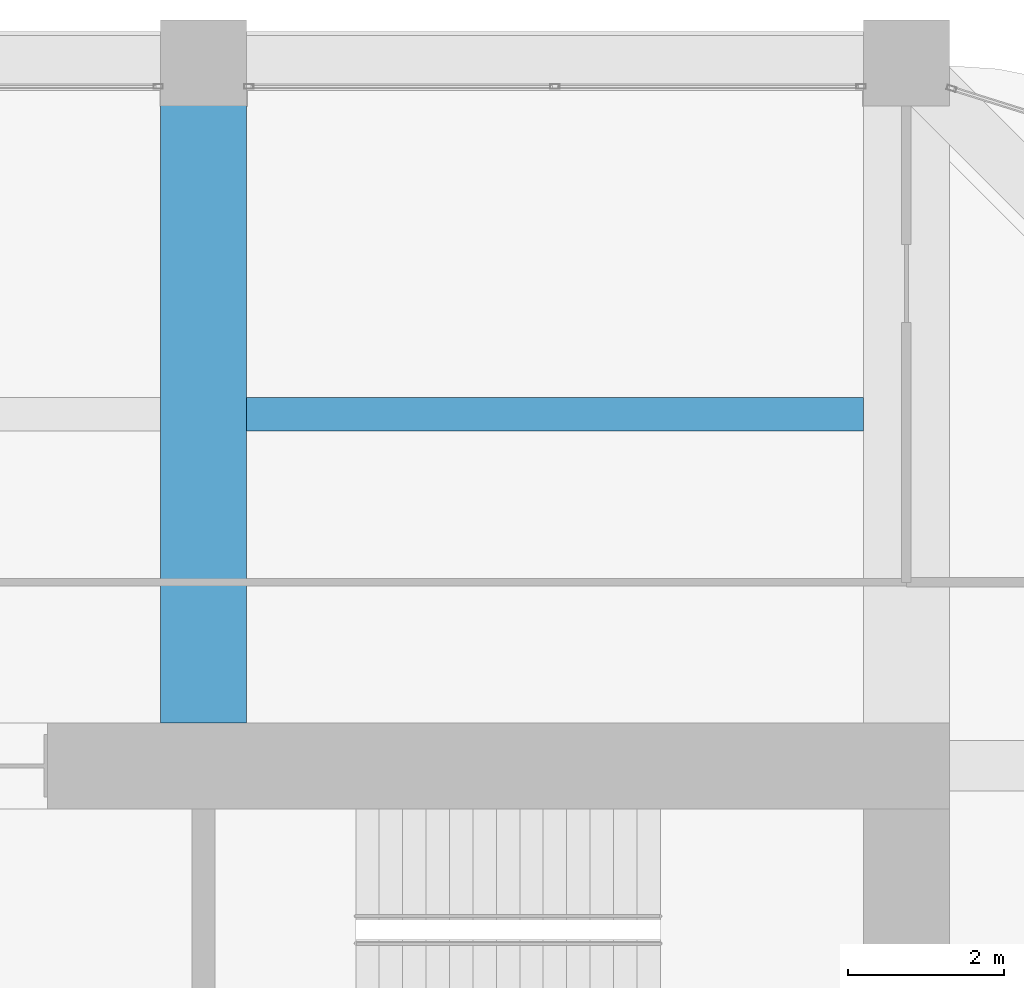
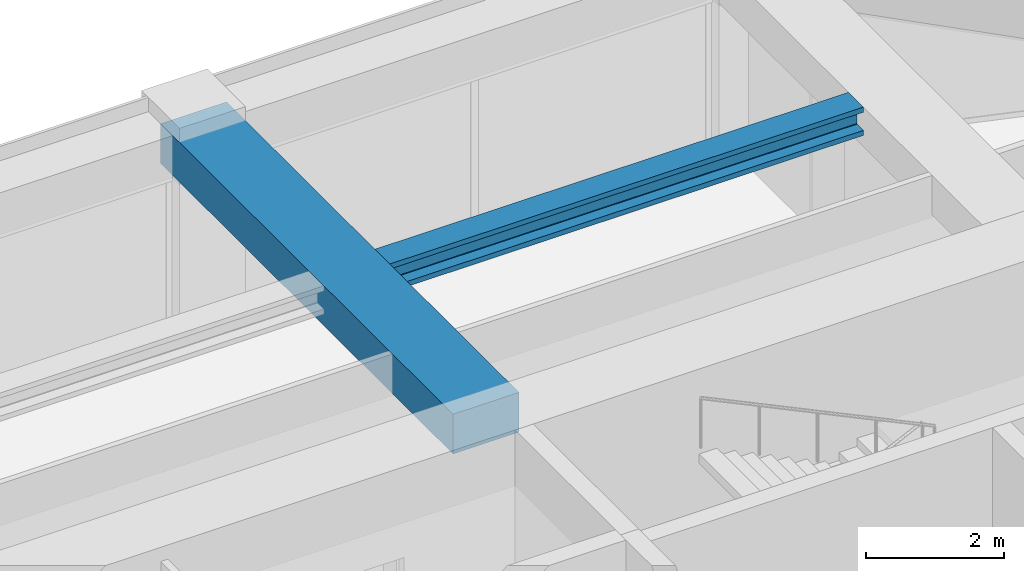
# One storey, part 34 of 44: 2 beams.
"""IFC4 building model written with IfcOpenShell, lengths in metres."""

from ifc_helpers import new_model, si_unit, direction, frame, origin, origin_2d, place, context, subcontext, project, spatial, rectangle, i_section, extrude, material, material_profile, profile_set, type_object, element, save


model = new_model("IFC4")

# Units and contexts
model_context = context("Model", 3, precision=1e-05, world=origin(), true_north=direction((0.0, 1.0)))
body_context = subcontext(model_context, "Body", "Model", "MODEL_VIEW")
ifc_project = project(units=[si_unit("LENGTHUNIT", "METRE"), si_unit("AREAUNIT", "SQUARE_METRE"), si_unit("VOLUMEUNIT", "CUBIC_METRE"), si_unit("PLANEANGLEUNIT", "RADIAN"), si_unit("MASSUNIT", "GRAM", prefix="KILO")], contexts=[model_context])

# Site, building, storey
site_placement = place(None, origin())
site = spatial("IfcSite", under=ifc_project, at=site_placement, CompositionType="ELEMENT")
building_placement = place(site_placement, origin())
building = spatial("IfcBuilding", under=site, at=building_placement, Name="Zorevar Civic Tower", CompositionType="ELEMENT")
storey_placement = place(building_placement, frame((0.0, 0.0, 267.39990234375)))
storey = spatial("IfcBuildingStorey", under=building, at=storey_placement, Name="L65", CompositionType="ELEMENT", Elevation=267.39990234375)

# Beams
ifc_material_1 = material(Name="Concrete C50/60", Category="concrete")
ifc_material_profile_1 = material_profile(ifc_material_1, rectangle(XDim=1.10009765625, YDim=0.699951171875, at=origin_2d()), Name="RC 1100x700")
ifc_profile_set_1 = profile_set([ifc_material_profile_1], Name="Concrete C50/60")
beam_type_1 = type_object("IfcBeamType", Name="Beam RC 1100x700", PredefinedType="BEAM", material=ifc_profile_set_1)
beam_1_placement = place(storey_placement, frame((36.0, 36.550048828125, 3.400146484375), z_axis=(0.0, 1.0, 0.0), x_axis=(-1.0, 0.0, 0.0)))
element("IfcBeam", 1, at=beam_1_placement, inside=storey, type_object=beam_type_1, Name="Girder L66", PredefinedType="BEAM", context=body_context, shape_type="SweptSolid", body=[
    extrude(rectangle(XDim=1.10009765625, YDim=0.699951171875, at=origin_2d()), origin(), (0.0, 0.0, 1.0), 8.449951171875),
])
ifc_material_2 = material(Name="Steel S460M (HISTAR 460)", Category="steel")
ifc_material_profile_2 = material_profile(ifc_material_2, i_section(OverallWidth=0.431884765625, OverallDepth=0.498046875, WebThickness=0.0556640625, FlangeThickness=0.0888671875, FilletRadius=0.014892578125, at=origin_2d()), Name="HD 400x744")
ifc_profile_set_2 = profile_set([ifc_material_profile_2], Name="Steel S460M (HISTAR 460)")
beam_type_2 = type_object("IfcBeamType", Name="Core bay beam HD 400x744", PredefinedType="BEAM", material=ifc_profile_set_2)
beam_2_placement = place(storey_placement, frame((36.550048828125, 40.5, 3.5009765625), z_axis=(1.0, 0.0, 0.0), x_axis=(0.0, 1.0, 0.0)))
element("IfcBeam", 2, at=beam_2_placement, inside=storey, type_object=beam_type_2, Name="Secondary beam L66", PredefinedType="BEAM", context=body_context, shape_type="SweptSolid", body=[
    extrude(i_section(OverallWidth=0.431884765625, OverallDepth=0.498046875, WebThickness=0.0556640625, FlangeThickness=0.0888671875, FilletRadius=0.014892578125, at=origin_2d()), origin(), (0.0, 0.0, 1.0), 7.89990234375),
])

save(model, "model.ifc")
